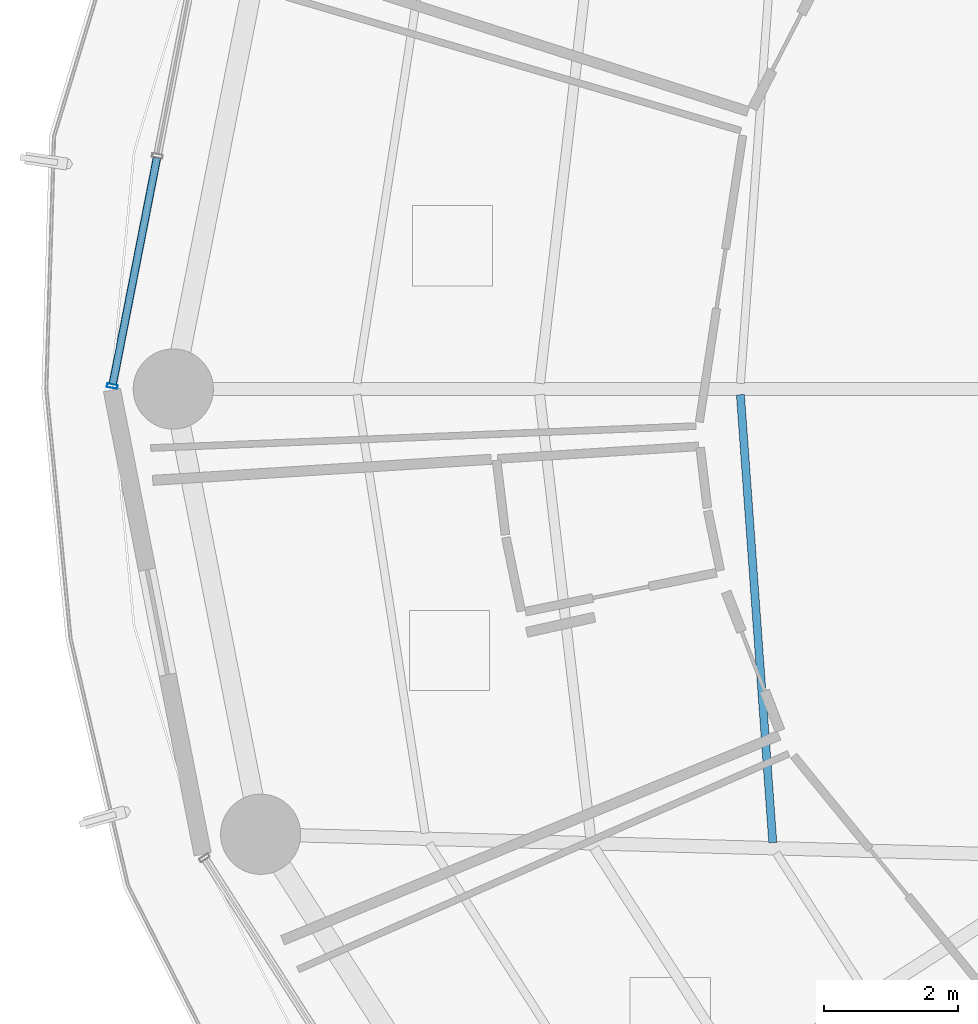
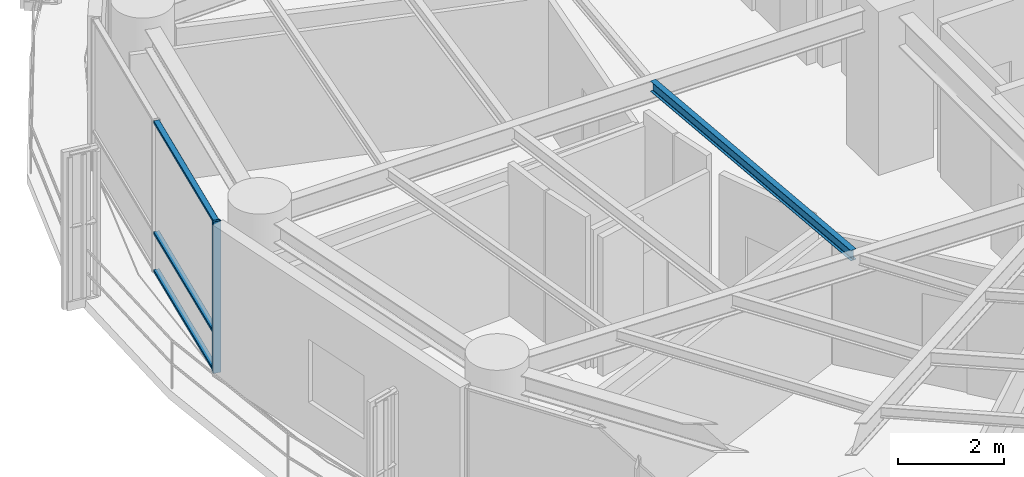
# One storey, part 6 of 27: 4 members, 1 beam, 1 element without a shape of its own.
"""IFC4 building model written with IfcOpenShell, lengths in metres."""

from ifc_helpers import new_model, si_unit, direction, frame, origin, origin_2d, place, context, subcontext, project, spatial, hollow_rectangle, i_section, extrude, material, layer, layer_set, material_profile, profile_set, type_object, element, aggregate, save


model = new_model("IFC4")

# Units and contexts
model_context = context("Model", 3, precision=1e-05, world=origin(), true_north=direction((0.0, 1.0)))
body_context = subcontext(model_context, "Body", "Model", "MODEL_VIEW")
ifc_project = project(units=[si_unit("LENGTHUNIT", "METRE"), si_unit("AREAUNIT", "SQUARE_METRE"), si_unit("VOLUMEUNIT", "CUBIC_METRE"), si_unit("PLANEANGLEUNIT", "RADIAN"), si_unit("MASSUNIT", "GRAM", prefix="KILO")], contexts=[model_context])

# Site, building, storey
site_placement = place(None, origin())
site = spatial("IfcSite", under=ifc_project, at=site_placement, CompositionType="ELEMENT")
building_placement = place(site_placement, origin())
building = spatial("IfcBuilding", under=site, at=building_placement, Name="Kelanora Arch Commons", CompositionType="ELEMENT")
storey_placement = place(building_placement, frame((0.0, 0.0, 154.35009765625)))
storey = spatial("IfcBuildingStorey", under=building, at=storey_placement, Name="L39", CompositionType="ELEMENT", Elevation=154.35009765625)

# Beam
ifc_material_1 = material(Name="Steel S355", Category="steel")
ifc_material_profile_1 = material_profile(ifc_material_1, i_section(OverallWidth=0.1201171875, OverallDepth=0.239990234375, WebThickness=0.006103515625, FlangeThickness=0.009765625, FilletRadius=0.014892578125, at=origin_2d()), Name="IPE240")
ifc_profile_set_1 = profile_set([ifc_material_profile_1], Name="Steel S355")
beam_type = type_object("IfcBeamType", Name="BM-JST-02", PredefinedType="JOIST", material=ifc_profile_set_1)
beam_placement = place(storey_placement, frame((60.8076171875, 57.915283203125, 3.369873046875), z_axis=(0.072117123738, -0.997396170267, 0.0), x_axis=(0.997396170267, 0.072117123738, 0.0)))
element("IfcBeam", 1, at=beam_placement, inside=storey, type_object=beam_type, Name="Secondary Chord Joist BJA-18 L39", PredefinedType="JOIST", context=body_context, shape_type="SweptSolid", body=[
    extrude(i_section(OverallWidth=0.1201171875, OverallDepth=0.239990234375, WebThickness=0.006103515625, FlangeThickness=0.009765625, FilletRadius=0.014892578125, at=origin_2d()), origin(), (0.0, 0.0, 1.0), 6.719970703125),
])

# Curtain wall, members
ifc_material_2 = material(Name="Terracotta ceramic-fritted low-E glass and aluminium", Category="masonry")
ifc_layer = layer(ifc_material_2, 0.175048828125)
ifc_layer_set = layer_set([ifc_layer], Name="Terracotta ceramic-fritted low-E glass and aluminium")
curtain_wall_type = type_object("IfcCurtainWallType", Name="CW-SYS-02", PredefinedType="NOTDEFINED", material=ifc_layer_set)
curtain_wall_placement = place(storey_placement, origin())
curtain_wall = element("IfcCurtainWall", 2, at=curtain_wall_placement, inside=storey, type_object=curtain_wall_type, Name="Unitised Curtain Wall L39-B08", PredefinedType="NOTDEFINED")
ifc_material_3 = material(Name="Powder-coated aluminium terracotta", Category="masonry")
ifc_material_profile_2 = material_profile(ifc_material_3, hollow_rectangle(XDim=0.159912109375, YDim=0.06005859375, WallThickness=0.0048828125, InnerFilletRadius=0.0048828125, OuterFilletRadius=0.010009765625, at=origin_2d()), Name="CWM160x60")
ifc_profile_set_2 = profile_set([ifc_material_profile_2], Name="Powder-coated aluminium terracotta")
member_type_1 = type_object("IfcMemberType", Name="CWM-STD", PredefinedType="MULLION", material=ifc_profile_set_2)
member_1_placement = place(storey_placement, frame((51.40869140625, 58.044189453125, 0.0), z_axis=(0.0, 0.0, 1.0), x_axis=(0.981452557718, -0.191705182375, 0.0)))
member_1 = element("IfcMember", 3, at=member_1_placement, type_object=member_type_1, Name="CW-02 mullion 3", PredefinedType="MULLION", context=body_context, shape_type="SweptSolid", body=[
    extrude(hollow_rectangle(XDim=0.159912109375, YDim=0.06005859375, WallThickness=0.0048828125, InnerFilletRadius=0.0048828125, OuterFilletRadius=0.010009765625, at=origin_2d()), origin(), (0.0, 0.0, 1.0), 3.474853515625),
])
ifc_material_profile_3 = material_profile(ifc_material_3, hollow_rectangle(XDim=0.1201171875, YDim=0.06005859375, WallThickness=0.0048828125, InnerFilletRadius=0.0048828125, OuterFilletRadius=0.010009765625, at=origin_2d()), Name="CWT120x60")
ifc_profile_set_3 = profile_set([ifc_material_profile_3], Name="Powder-coated aluminium terracotta")
member_type_2 = type_object("IfcMemberType", Name="CWT-STD", PredefinedType="USERDEFINED", material=ifc_profile_set_3)
member_2_placement = place(storey_placement, frame((52.07568359375, 61.459228515625, 0.02978515625), z_axis=(-0.191718206447, -0.981450013662, 0.0), x_axis=(0.981450013662, -0.191718206447, 0.0)))
member_2 = element("IfcMember", 4, at=member_2_placement, type_object=member_type_2, Name="CW-02 transom 2.1", ObjectType="TRANSOM", PredefinedType="USERDEFINED", context=body_context, shape_type="SweptSolid", body=[
    extrude(hollow_rectangle(XDim=0.1201171875, YDim=0.06005859375, WallThickness=0.0048828125, InnerFilletRadius=0.0048828125, OuterFilletRadius=0.010009765625, at=origin_2d()), origin(), (0.0, 0.0, 1.0), 3.44970703125),
])
member_3_placement = place(storey_placement, frame((52.07568359375, 61.459228515625, 0.89990234375), z_axis=(-0.191718206447, -0.981450013662, 0.0), x_axis=(0.981450013662, -0.191718206447, 0.0)))
member_3 = element("IfcMember", 5, at=member_3_placement, type_object=member_type_2, Name="CW-02 transom 2.2", ObjectType="TRANSOM", PredefinedType="USERDEFINED", context=body_context, shape_type="SweptSolid", body=[
    extrude(hollow_rectangle(XDim=0.1201171875, YDim=0.06005859375, WallThickness=0.0048828125, InnerFilletRadius=0.0048828125, OuterFilletRadius=0.010009765625, at=origin_2d()), origin(), (0.0, 0.0, 1.0), 3.44970703125),
])
member_4_placement = place(storey_placement, frame((52.07568359375, 61.459228515625, 3.44482421875), z_axis=(-0.191718206447, -0.981450013662, 0.0), x_axis=(0.981450013662, -0.191718206447, 0.0)))
member_4 = element("IfcMember", 6, at=member_4_placement, type_object=member_type_2, Name="CW-02 transom 2.3", ObjectType="TRANSOM", PredefinedType="USERDEFINED", context=body_context, shape_type="SweptSolid", body=[
    extrude(hollow_rectangle(XDim=0.1201171875, YDim=0.06005859375, WallThickness=0.0048828125, InnerFilletRadius=0.0048828125, OuterFilletRadius=0.010009765625, at=origin_2d()), origin(), (0.0, 0.0, 1.0), 3.44970703125),
])
aggregate(curtain_wall, [member_1, member_2, member_3, member_4])

save(model, "model.ifc")
